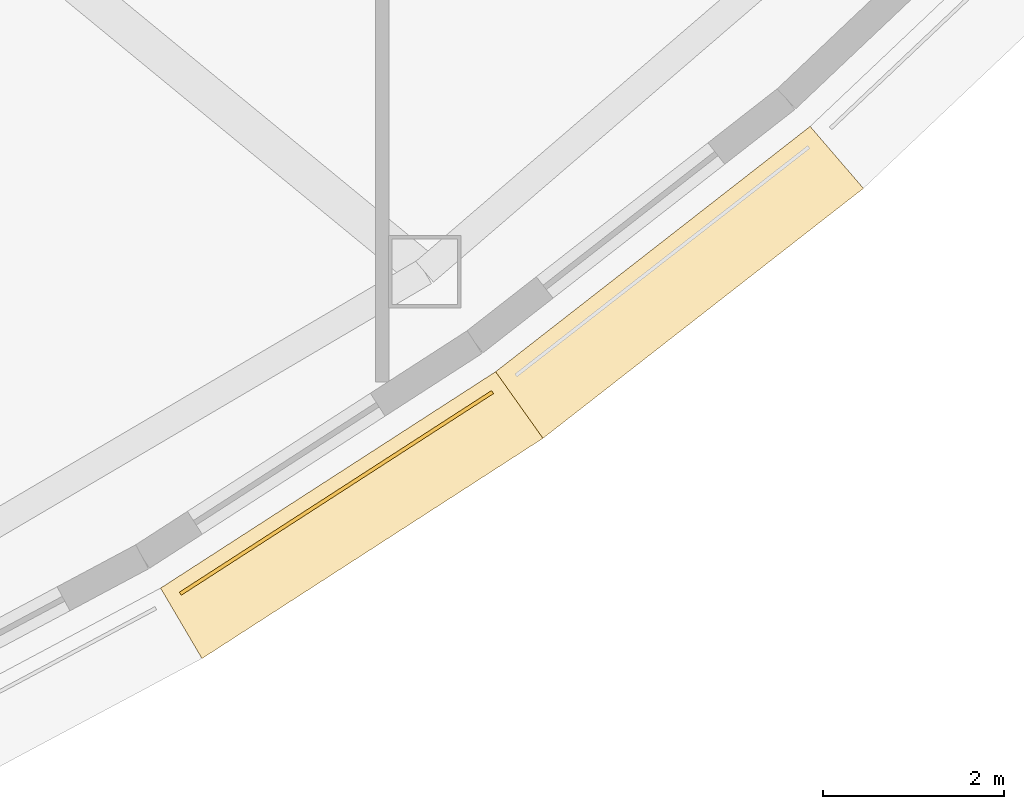
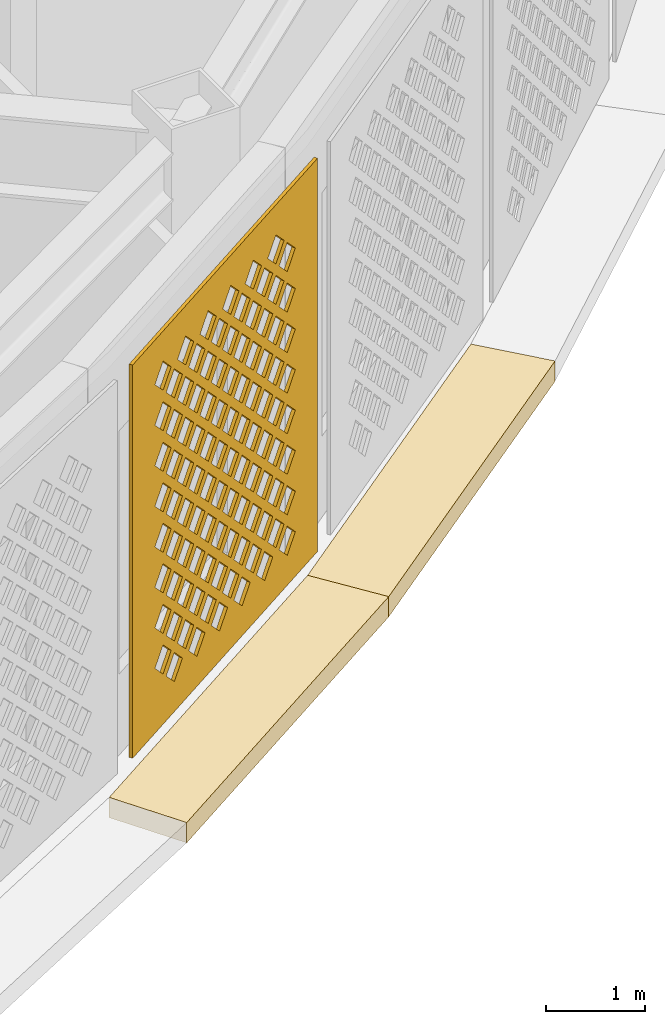
# One storey, part 57 of 63: 3 coverings.
"""IFC4 building model written with IfcOpenShell, lengths in metres."""

from ifc_helpers import new_model, si_unit, direction, frame, origin, place, context, subcontext, project, spatial, polyline, outline, extrude, material, layer, layer_set, type_object, element, save


model = new_model("IFC4")

# Units and contexts
model_context = context("Model", 3, precision=1e-05, world=origin(), true_north=direction((0.0, 1.0)))
body_context = subcontext(model_context, "Body", "Model", "MODEL_VIEW")
ifc_project = project(units=[si_unit("LENGTHUNIT", "METRE"), si_unit("AREAUNIT", "SQUARE_METRE"), si_unit("VOLUMEUNIT", "CUBIC_METRE"), si_unit("PLANEANGLEUNIT", "RADIAN"), si_unit("MASSUNIT", "GRAM", prefix="KILO")], contexts=[model_context])

# Site, building, storey
site_placement = place(None, origin())
site = spatial("IfcSite", under=ifc_project, at=site_placement, CompositionType="ELEMENT")
building_placement = place(site_placement, origin())
building = spatial("IfcBuilding", under=site, at=building_placement, Name="Noorbagh Ring Tower", CompositionType="ELEMENT")
storey_placement = place(building_placement, frame((0.0, 0.0, 25.0)))
storey = spatial("IfcBuildingStorey", under=building, at=storey_placement, Name="L04", CompositionType="ELEMENT", Elevation=25.0)

# Coverings
ifc_material_1 = material(Name="Red sandstone eave", Category="masonry")
covering_type_1 = type_object("IfcCoveringType", Name="STY-CHHAJJA", PredefinedType="USERDEFINED", material=ifc_material_1)
covering_1_placement = place(storey_placement, frame((0.0, 0.0, -0.25)))
element("IfcCovering", 1, at=covering_1_placement, inside=storey, type_object=covering_type_1, Name="Chhajja eave", ObjectType="CHHAJJA", PredefinedType="USERDEFINED", context=body_context, shape_type="SweptSolid", body=[
    extrude(outline(polyline([(31.5546875, -31.793701171875), (35.247802734375, -29.408203125), (35.769775390625, -30.142578125), (32.011474609375, -32.56982421875), (31.5546875, -31.793701171875)])), origin(), (0.0, 0.0, 1.0), 0.25),
])
covering_2_placement = place(storey_placement, frame((0.0, 0.0, -0.25)))
element("IfcCovering", 2, at=covering_2_placement, inside=storey, type_object=covering_type_1, Name="Chhajja eave", ObjectType="CHHAJJA", PredefinedType="USERDEFINED", context=body_context, shape_type="SweptSolid", body=[
    extrude(outline(polyline([(35.247802734375, -29.408203125), (38.71435546875, -26.70458984375), (39.3017578125, -27.3876953125), (35.769775390625, -30.142578125), (35.247802734375, -29.408203125)])), origin(), (0.0, 0.0, 1.0), 0.25),
])
ifc_material_2 = material(Name="Red sandstone jali", Category="masonry")
ifc_layer = layer(ifc_material_2, 0.0400390625)
ifc_layer_set = layer_set([ifc_layer], Name="Red sandstone jali")
covering_type_2 = type_object("IfcCoveringType", Name="STY-JALI", PredefinedType="USERDEFINED", material=ifc_layer_set)
covering_3_placement = place(storey_placement, frame((31.78369140625, -31.871826171875, 0.449951171875), z_axis=(0.542524555296, -0.840039943634, 0.0), x_axis=(0.840039943634, 0.542524555296, 0.0)))
element("IfcCovering", 3, at=covering_3_placement, inside=storey, type_object=covering_type_2, Name="Jali screen", ObjectType="SCREEN", PredefinedType="USERDEFINED", context=body_context, shape_type="SweptSolid", body=[
    extrude(outline(polyline([(0.0, 0.0), (4.096435546875, 0.0), (4.096435546875, 4.85009765625), (0.0, 4.85009765625), (0.0, 0.0)]), holes=[polyline([(0.7431640625, 0.550048828125), (0.923095703125, 0.3701171875), (1.103271484375, 0.550048828125), (0.923095703125, 0.72998046875), (0.7431640625, 0.550048828125)]), polyline([(1.2431640625, 0.550048828125), (1.423095703125, 0.3701171875), (1.603271484375, 0.550048828125), (1.423095703125, 0.72998046875), (1.2431640625, 0.550048828125)]), polyline([(1.7431640625, 0.550048828125), (1.923095703125, 0.3701171875), (2.103271484375, 0.550048828125), (1.923095703125, 0.72998046875), (1.7431640625, 0.550048828125)]), polyline([(2.2431640625, 0.550048828125), (2.423095703125, 0.3701171875), (2.603271484375, 0.550048828125), (2.423095703125, 0.72998046875), (2.2431640625, 0.550048828125)]), polyline([(2.7431640625, 0.550048828125), (2.923095703125, 0.3701171875), (3.103271484375, 0.550048828125), (2.923095703125, 0.72998046875), (2.7431640625, 0.550048828125)]), polyline([(3.2431640625, 0.550048828125), (3.423095703125, 0.3701171875), (3.603271484375, 0.550048828125), (3.423095703125, 0.72998046875), (3.2431640625, 0.550048828125)]), polyline([(0.4931640625, 0.800048828125), (0.673095703125, 0.6201171875), (0.853271484375, 0.800048828125), (0.673095703125, 0.97998046875), (0.4931640625, 0.800048828125)]), polyline([(0.9931640625, 0.800048828125), (1.173095703125, 0.6201171875), (1.353271484375, 0.800048828125), (1.173095703125, 0.97998046875), (0.9931640625, 0.800048828125)]), polyline([(1.4931640625, 0.800048828125), (1.673095703125, 0.6201171875), (1.853271484375, 0.800048828125), (1.673095703125, 0.97998046875), (1.4931640625, 0.800048828125)]), polyline([(1.9931640625, 0.800048828125), (2.173095703125, 0.6201171875), (2.353271484375, 0.800048828125), (2.173095703125, 0.97998046875), (1.9931640625, 0.800048828125)]), polyline([(2.4931640625, 0.800048828125), (2.673095703125, 0.6201171875), (2.853271484375, 0.800048828125), (2.673095703125, 0.97998046875), (2.4931640625, 0.800048828125)]), polyline([(2.9931640625, 0.800048828125), (3.173095703125, 0.6201171875), (3.353271484375, 0.800048828125), (3.173095703125, 0.97998046875), (2.9931640625, 0.800048828125)]), polyline([(0.7431640625, 1.050048828125), (0.923095703125, 0.8701171875), (1.103271484375, 1.050048828125), (0.923095703125, 1.22998046875), (0.7431640625, 1.050048828125)]), polyline([(1.2431640625, 1.050048828125), (1.423095703125, 0.8701171875), (1.603271484375, 1.050048828125), (1.423095703125, 1.22998046875), (1.2431640625, 1.050048828125)]), polyline([(1.7431640625, 1.050048828125), (1.923095703125, 0.8701171875), (2.103271484375, 1.050048828125), (1.923095703125, 1.22998046875), (1.7431640625, 1.050048828125)]), polyline([(2.2431640625, 1.050048828125), (2.423095703125, 0.8701171875), (2.603271484375, 1.050048828125), (2.423095703125, 1.22998046875), (2.2431640625, 1.050048828125)]), polyline([(2.7431640625, 1.050048828125), (2.923095703125, 0.8701171875), (3.103271484375, 1.050048828125), (2.923095703125, 1.22998046875), (2.7431640625, 1.050048828125)]), polyline([(3.2431640625, 1.050048828125), (3.423095703125, 0.8701171875), (3.603271484375, 1.050048828125), (3.423095703125, 1.22998046875), (3.2431640625, 1.050048828125)]), polyline([(0.4931640625, 1.300048828125), (0.673095703125, 1.1201171875), (0.853271484375, 1.300048828125), (0.673095703125, 1.47998046875), (0.4931640625, 1.300048828125)]), polyline([(0.9931640625, 1.300048828125), (1.173095703125, 1.1201171875), (1.353271484375, 1.300048828125), (1.173095703125, 1.47998046875), (0.9931640625, 1.300048828125)]), polyline([(1.4931640625, 1.300048828125), (1.673095703125, 1.1201171875), (1.853271484375, 1.300048828125), (1.673095703125, 1.47998046875), (1.4931640625, 1.300048828125)]), polyline([(1.9931640625, 1.300048828125), (2.173095703125, 1.1201171875), (2.353271484375, 1.300048828125), (2.173095703125, 1.47998046875), (1.9931640625, 1.300048828125)]), polyline([(2.4931640625, 1.300048828125), (2.673095703125, 1.1201171875), (2.853271484375, 1.300048828125), (2.673095703125, 1.47998046875), (2.4931640625, 1.300048828125)]), polyline([(2.9931640625, 1.300048828125), (3.173095703125, 1.1201171875), (3.353271484375, 1.300048828125), (3.173095703125, 1.47998046875), (2.9931640625, 1.300048828125)]), polyline([(0.7431640625, 1.550048828125), (0.923095703125, 1.3701171875), (1.103271484375, 1.550048828125), (0.923095703125, 1.72998046875), (0.7431640625, 1.550048828125)]), polyline([(1.2431640625, 1.550048828125), (1.423095703125, 1.3701171875), (1.603271484375, 1.550048828125), (1.423095703125, 1.72998046875), (1.2431640625, 1.550048828125)]), polyline([(1.7431640625, 1.550048828125), (1.923095703125, 1.3701171875), (2.103271484375, 1.550048828125), (1.923095703125, 1.72998046875), (1.7431640625, 1.550048828125)]), polyline([(2.2431640625, 1.550048828125), (2.423095703125, 1.3701171875), (2.603271484375, 1.550048828125), (2.423095703125, 1.72998046875), (2.2431640625, 1.550048828125)]), polyline([(2.7431640625, 1.550048828125), (2.923095703125, 1.3701171875), (3.103271484375, 1.550048828125), (2.923095703125, 1.72998046875), (2.7431640625, 1.550048828125)]), polyline([(3.2431640625, 1.550048828125), (3.423095703125, 1.3701171875), (3.603271484375, 1.550048828125), (3.423095703125, 1.72998046875), (3.2431640625, 1.550048828125)]), polyline([(0.4931640625, 1.800048828125), (0.673095703125, 1.6201171875), (0.853271484375, 1.800048828125), (0.673095703125, 1.97998046875), (0.4931640625, 1.800048828125)]), polyline([(0.9931640625, 1.800048828125), (1.173095703125, 1.6201171875), (1.353271484375, 1.800048828125), (1.173095703125, 1.97998046875), (0.9931640625, 1.800048828125)]), polyline([(1.4931640625, 1.800048828125), (1.673095703125, 1.6201171875), (1.853271484375, 1.800048828125), (1.673095703125, 1.97998046875), (1.4931640625, 1.800048828125)]), polyline([(1.9931640625, 1.800048828125), (2.173095703125, 1.6201171875), (2.353271484375, 1.800048828125), (2.173095703125, 1.97998046875), (1.9931640625, 1.800048828125)]), polyline([(2.4931640625, 1.800048828125), (2.673095703125, 1.6201171875), (2.853271484375, 1.800048828125), (2.673095703125, 1.97998046875), (2.4931640625, 1.800048828125)]), polyline([(2.9931640625, 1.800048828125), (3.173095703125, 1.6201171875), (3.353271484375, 1.800048828125), (3.173095703125, 1.97998046875), (2.9931640625, 1.800048828125)]), polyline([(0.7431640625, 2.050048828125), (0.923095703125, 1.8701171875), (1.103271484375, 2.050048828125), (0.923095703125, 2.22998046875), (0.7431640625, 2.050048828125)]), polyline([(1.2431640625, 2.050048828125), (1.423095703125, 1.8701171875), (1.603271484375, 2.050048828125), (1.423095703125, 2.22998046875), (1.2431640625, 2.050048828125)]), polyline([(1.7431640625, 2.050048828125), (1.923095703125, 1.8701171875), (2.103271484375, 2.050048828125), (1.923095703125, 2.22998046875), (1.7431640625, 2.050048828125)]), polyline([(2.2431640625, 2.050048828125), (2.423095703125, 1.8701171875), (2.603271484375, 2.050048828125), (2.423095703125, 2.22998046875), (2.2431640625, 2.050048828125)]), polyline([(2.7431640625, 2.050048828125), (2.923095703125, 1.8701171875), (3.103271484375, 2.050048828125), (2.923095703125, 2.22998046875), (2.7431640625, 2.050048828125)]), polyline([(3.2431640625, 2.050048828125), (3.423095703125, 1.8701171875), (3.603271484375, 2.050048828125), (3.423095703125, 2.22998046875), (3.2431640625, 2.050048828125)]), polyline([(0.4931640625, 2.300048828125), (0.673095703125, 2.1201171875), (0.853271484375, 2.300048828125), (0.673095703125, 2.47998046875), (0.4931640625, 2.300048828125)]), polyline([(0.9931640625, 2.300048828125), (1.173095703125, 2.1201171875), (1.353271484375, 2.300048828125), (1.173095703125, 2.47998046875), (0.9931640625, 2.300048828125)]), polyline([(1.4931640625, 2.300048828125), (1.673095703125, 2.1201171875), (1.853271484375, 2.300048828125), (1.673095703125, 2.47998046875), (1.4931640625, 2.300048828125)]), polyline([(1.9931640625, 2.300048828125), (2.173095703125, 2.1201171875), (2.353271484375, 2.300048828125), (2.173095703125, 2.47998046875), (1.9931640625, 2.300048828125)]), polyline([(2.4931640625, 2.300048828125), (2.673095703125, 2.1201171875), (2.853271484375, 2.300048828125), (2.673095703125, 2.47998046875), (2.4931640625, 2.300048828125)]), polyline([(2.9931640625, 2.300048828125), (3.173095703125, 2.1201171875), (3.353271484375, 2.300048828125), (3.173095703125, 2.47998046875), (2.9931640625, 2.300048828125)]), polyline([(0.7431640625, 2.550048828125), (0.923095703125, 2.3701171875), (1.103271484375, 2.550048828125), (0.923095703125, 2.72998046875), (0.7431640625, 2.550048828125)]), polyline([(1.2431640625, 2.550048828125), (1.423095703125, 2.3701171875), (1.603271484375, 2.550048828125), (1.423095703125, 2.72998046875), (1.2431640625, 2.550048828125)]), polyline([(1.7431640625, 2.550048828125), (1.923095703125, 2.3701171875), (2.103271484375, 2.550048828125), (1.923095703125, 2.72998046875), (1.7431640625, 2.550048828125)]), polyline([(2.2431640625, 2.550048828125), (2.423095703125, 2.3701171875), (2.603271484375, 2.550048828125), (2.423095703125, 2.72998046875), (2.2431640625, 2.550048828125)]), polyline([(2.7431640625, 2.550048828125), (2.923095703125, 2.3701171875), (3.103271484375, 2.550048828125), (2.923095703125, 2.72998046875), (2.7431640625, 2.550048828125)]), polyline([(3.2431640625, 2.550048828125), (3.423095703125, 2.3701171875), (3.603271484375, 2.550048828125), (3.423095703125, 2.72998046875), (3.2431640625, 2.550048828125)]), polyline([(0.4931640625, 2.800048828125), (0.673095703125, 2.6201171875), (0.853271484375, 2.800048828125), (0.673095703125, 2.97998046875), (0.4931640625, 2.800048828125)]), polyline([(0.9931640625, 2.800048828125), (1.173095703125, 2.6201171875), (1.353271484375, 2.800048828125), (1.173095703125, 2.97998046875), (0.9931640625, 2.800048828125)]), polyline([(1.4931640625, 2.800048828125), (1.673095703125, 2.6201171875), (1.853271484375, 2.800048828125), (1.673095703125, 2.97998046875), (1.4931640625, 2.800048828125)]), polyline([(1.9931640625, 2.800048828125), (2.173095703125, 2.6201171875), (2.353271484375, 2.800048828125), (2.173095703125, 2.97998046875), (1.9931640625, 2.800048828125)]), polyline([(2.4931640625, 2.800048828125), (2.673095703125, 2.6201171875), (2.853271484375, 2.800048828125), (2.673095703125, 2.97998046875), (2.4931640625, 2.800048828125)]), polyline([(2.9931640625, 2.800048828125), (3.173095703125, 2.6201171875), (3.353271484375, 2.800048828125), (3.173095703125, 2.97998046875), (2.9931640625, 2.800048828125)]), polyline([(0.7431640625, 3.050048828125), (0.923095703125, 2.8701171875), (1.103271484375, 3.050048828125), (0.923095703125, 3.22998046875), (0.7431640625, 3.050048828125)]), polyline([(1.2431640625, 3.050048828125), (1.423095703125, 2.8701171875), (1.603271484375, 3.050048828125), (1.423095703125, 3.22998046875), (1.2431640625, 3.050048828125)]), polyline([(1.7431640625, 3.050048828125), (1.923095703125, 2.8701171875), (2.103271484375, 3.050048828125), (1.923095703125, 3.22998046875), (1.7431640625, 3.050048828125)]), polyline([(2.2431640625, 3.050048828125), (2.423095703125, 2.8701171875), (2.603271484375, 3.050048828125), (2.423095703125, 3.22998046875), (2.2431640625, 3.050048828125)]), polyline([(2.7431640625, 3.050048828125), (2.923095703125, 2.8701171875), (3.103271484375, 3.050048828125), (2.923095703125, 3.22998046875), (2.7431640625, 3.050048828125)]), polyline([(3.2431640625, 3.050048828125), (3.423095703125, 2.8701171875), (3.603271484375, 3.050048828125), (3.423095703125, 3.22998046875), (3.2431640625, 3.050048828125)]), polyline([(0.4931640625, 3.300048828125), (0.673095703125, 3.1201171875), (0.853271484375, 3.300048828125), (0.673095703125, 3.47998046875), (0.4931640625, 3.300048828125)]), polyline([(0.9931640625, 3.300048828125), (1.173095703125, 3.1201171875), (1.353271484375, 3.300048828125), (1.173095703125, 3.47998046875), (0.9931640625, 3.300048828125)]), polyline([(1.4931640625, 3.300048828125), (1.673095703125, 3.1201171875), (1.853271484375, 3.300048828125), (1.673095703125, 3.47998046875), (1.4931640625, 3.300048828125)]), polyline([(1.9931640625, 3.300048828125), (2.173095703125, 3.1201171875), (2.353271484375, 3.300048828125), (2.173095703125, 3.47998046875), (1.9931640625, 3.300048828125)]), polyline([(2.4931640625, 3.300048828125), (2.673095703125, 3.1201171875), (2.853271484375, 3.300048828125), (2.673095703125, 3.47998046875), (2.4931640625, 3.300048828125)]), polyline([(2.9931640625, 3.300048828125), (3.173095703125, 3.1201171875), (3.353271484375, 3.300048828125), (3.173095703125, 3.47998046875), (2.9931640625, 3.300048828125)]), polyline([(0.7431640625, 3.550048828125), (0.923095703125, 3.3701171875), (1.103271484375, 3.550048828125), (0.923095703125, 3.72998046875), (0.7431640625, 3.550048828125)]), polyline([(1.2431640625, 3.550048828125), (1.423095703125, 3.3701171875), (1.603271484375, 3.550048828125), (1.423095703125, 3.72998046875), (1.2431640625, 3.550048828125)]), polyline([(1.7431640625, 3.550048828125), (1.923095703125, 3.3701171875), (2.103271484375, 3.550048828125), (1.923095703125, 3.72998046875), (1.7431640625, 3.550048828125)]), polyline([(2.2431640625, 3.550048828125), (2.423095703125, 3.3701171875), (2.603271484375, 3.550048828125), (2.423095703125, 3.72998046875), (2.2431640625, 3.550048828125)]), polyline([(2.7431640625, 3.550048828125), (2.923095703125, 3.3701171875), (3.103271484375, 3.550048828125), (2.923095703125, 3.72998046875), (2.7431640625, 3.550048828125)]), polyline([(3.2431640625, 3.550048828125), (3.423095703125, 3.3701171875), (3.603271484375, 3.550048828125), (3.423095703125, 3.72998046875), (3.2431640625, 3.550048828125)]), polyline([(0.4931640625, 3.800048828125), (0.673095703125, 3.6201171875), (0.853271484375, 3.800048828125), (0.673095703125, 3.97998046875), (0.4931640625, 3.800048828125)]), polyline([(0.9931640625, 3.800048828125), (1.173095703125, 3.6201171875), (1.353271484375, 3.800048828125), (1.173095703125, 3.97998046875), (0.9931640625, 3.800048828125)]), polyline([(1.4931640625, 3.800048828125), (1.673095703125, 3.6201171875), (1.853271484375, 3.800048828125), (1.673095703125, 3.97998046875), (1.4931640625, 3.800048828125)]), polyline([(1.9931640625, 3.800048828125), (2.173095703125, 3.6201171875), (2.353271484375, 3.800048828125), (2.173095703125, 3.97998046875), (1.9931640625, 3.800048828125)]), polyline([(2.4931640625, 3.800048828125), (2.673095703125, 3.6201171875), (2.853271484375, 3.800048828125), (2.673095703125, 3.97998046875), (2.4931640625, 3.800048828125)]), polyline([(2.9931640625, 3.800048828125), (3.173095703125, 3.6201171875), (3.353271484375, 3.800048828125), (3.173095703125, 3.97998046875), (2.9931640625, 3.800048828125)]), polyline([(0.7431640625, 4.050048828125), (0.923095703125, 3.8701171875), (1.103271484375, 4.050048828125), (0.923095703125, 4.22998046875), (0.7431640625, 4.050048828125)]), polyline([(1.2431640625, 4.050048828125), (1.423095703125, 3.8701171875), (1.603271484375, 4.050048828125), (1.423095703125, 4.22998046875), (1.2431640625, 4.050048828125)]), polyline([(1.7431640625, 4.050048828125), (1.923095703125, 3.8701171875), (2.103271484375, 4.050048828125), (1.923095703125, 4.22998046875), (1.7431640625, 4.050048828125)]), polyline([(2.2431640625, 4.050048828125), (2.423095703125, 3.8701171875), (2.603271484375, 4.050048828125), (2.423095703125, 4.22998046875), (2.2431640625, 4.050048828125)]), polyline([(2.7431640625, 4.050048828125), (2.923095703125, 3.8701171875), (3.103271484375, 4.050048828125), (2.923095703125, 4.22998046875), (2.7431640625, 4.050048828125)]), polyline([(3.2431640625, 4.050048828125), (3.423095703125, 3.8701171875), (3.603271484375, 4.050048828125), (3.423095703125, 4.22998046875), (3.2431640625, 4.050048828125)]), polyline([(0.4931640625, 4.300048828125), (0.673095703125, 4.1201171875), (0.853271484375, 4.300048828125), (0.673095703125, 4.47998046875), (0.4931640625, 4.300048828125)]), polyline([(0.9931640625, 4.300048828125), (1.173095703125, 4.1201171875), (1.353271484375, 4.300048828125), (1.173095703125, 4.47998046875), (0.9931640625, 4.300048828125)]), polyline([(1.4931640625, 4.300048828125), (1.673095703125, 4.1201171875), (1.853271484375, 4.300048828125), (1.673095703125, 4.47998046875), (1.4931640625, 4.300048828125)]), polyline([(1.9931640625, 4.300048828125), (2.173095703125, 4.1201171875), (2.353271484375, 4.300048828125), (2.173095703125, 4.47998046875), (1.9931640625, 4.300048828125)]), polyline([(2.4931640625, 4.300048828125), (2.673095703125, 4.1201171875), (2.853271484375, 4.300048828125), (2.673095703125, 4.47998046875), (2.4931640625, 4.300048828125)]), polyline([(2.9931640625, 4.300048828125), (3.173095703125, 4.1201171875), (3.353271484375, 4.300048828125), (3.173095703125, 4.47998046875), (2.9931640625, 4.300048828125)])]), origin(), (0.0, 0.0, -1.0), 0.0400390625),
])

save(model, "model.ifc")
